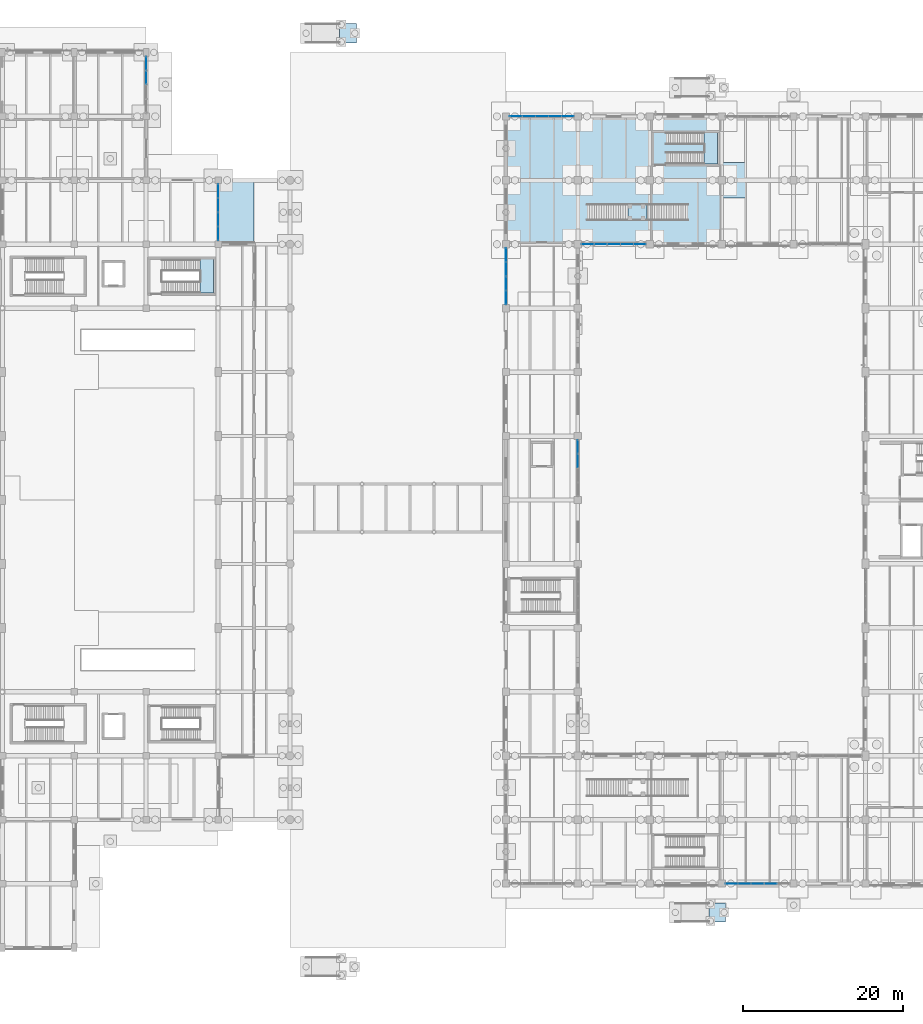
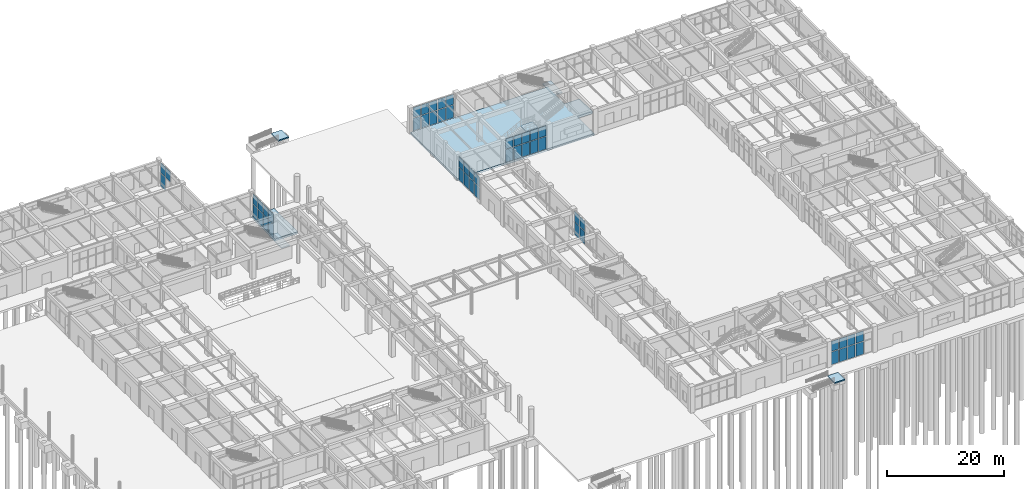
# One storey, part 85 of 121: 51 plates, 7 slabs, 12 elements without a shape of their own.
"""IFC4 building model written with IfcOpenShell, lengths in metres."""

from ifc_helpers import new_model, si_unit, derived_unit, direction, frame, origin, origin_2d, place, context, subcontext, project, spatial, polyline, rectangle, outline, extrude, material, layer, layer_set, type_object, element, aggregate, save


model = new_model("IFC4")

# Units and contexts
model_context = context("Model", 3, precision=1e-05, world=origin(), true_north=direction((0.0, 1.0)))
body_context = subcontext(model_context, "Body", "Model", "MODEL_VIEW")
ifc_project = project(units=[si_unit("LENGTHUNIT", "METRE"), si_unit("AREAUNIT", "SQUARE_METRE"), si_unit("VOLUMEUNIT", "CUBIC_METRE"), si_unit("PLANEANGLEUNIT", "RADIAN"), si_unit("MASSUNIT", "GRAM", prefix="KILO"), derived_unit("THERMALTRANSMITTANCEUNIT", [(si_unit("MASSUNIT", "GRAM", prefix="KILO"), 1), (si_unit("TIMEUNIT", "SECOND"), -3), (si_unit("THERMODYNAMICTEMPERATUREUNIT", "KELVIN"), -1)])], contexts=[model_context])

# Site, building, storey
site_placement = place(None, origin())
site = spatial("IfcSite", under=ifc_project, at=site_placement, CompositionType="ELEMENT")
building_placement = place(site_placement, origin())
building = spatial("IfcBuilding", under=site, at=building_placement, Name="Zhenchuan Archway Interchange", CompositionType="ELEMENT")
storey_placement = place(building_placement, origin())
storey = spatial("IfcBuildingStorey", under=building, at=storey_placement, Name="L00", CompositionType="ELEMENT", Elevation=0.0)

# Curtain wall, plate
ifc_material_1 = material(Name="Anodised Aluminium", Category="aluminium")
curtain_wall_type_1 = type_object("IfcCurtainWallType", Name="CW_UNIT_3", PredefinedType="NOTDEFINED", material=ifc_material_1)
curtain_wall_1_placement = place(storey_placement, origin())
curtain_wall_1 = element("IfcCurtainWall", 1, at=curtain_wall_1_placement, inside=storey, type_object=curtain_wall_type_1, Name="Unitised curtain wall CW:L00:006", PredefinedType="NOTDEFINED")
ifc_material_2 = material(Name="Double Low-E Insulated Glazing", Category="glass")
ifc_layer_1 = layer(ifc_material_2, 0.031982421875)
ifc_layer_set_1 = layer_set([ifc_layer_1], Name="Double Low-E Insulated Glazing")
plate_type_1 = type_object("IfcPlateType", Name="CW_GLZ_5", PredefinedType="CURTAIN_PANEL", material=ifc_layer_set_1)
plate_1_placement = place(storey_placement, frame((54.0, 110.629638671875, 0.080078125), z_axis=(0.0, 0.0, 1.0), x_axis=(0.0, -1.0, 0.0)))
plate_1 = element("IfcPlate", 2, at=plate_1_placement, type_object=plate_type_1, Name="CW:L00:006 lower glazing panel 0", PredefinedType="CURTAIN_PANEL", context=body_context, shape_type="SweptSolid", body=[
    extrude(rectangle(XDim=1.624755859375, YDim=0.028076171875, at=origin_2d()), origin(), (0.0, 0.0, 1.0), 2.64306640625),
])

# Curtain wall, plates
curtain_wall_type_2 = type_object("IfcCurtainWallType", Name="CW_UNIT_4", PredefinedType="NOTDEFINED", material=ifc_material_1)
curtain_wall_2_placement = place(storey_placement, origin())
curtain_wall_2 = element("IfcCurtainWall", 3, at=curtain_wall_2_placement, inside=storey, type_object=curtain_wall_type_2, Name="Unitised curtain wall CW:L00:007", PredefinedType="NOTDEFINED")
plate_2_placement = place(storey_placement, frame((63.0, 94.6953125, 0.080078125), z_axis=(0.0, 0.0, 1.0), x_axis=(0.0, -1.0, 0.0)))
plate_2 = element("IfcPlate", 4, at=plate_2_placement, type_object=plate_type_1, Name="CW:L00:007 lower glazing panel 0", PredefinedType="CURTAIN_PANEL", context=body_context, shape_type="SweptSolid", body=[
    extrude(rectangle(XDim=1.6435546875, YDim=0.028076171875, at=origin_2d()), origin(), (0.0, 0.0, 1.0), 2.64306640625),
])
plate_3_placement = place(storey_placement, frame((63.0, 92.901611328125, 0.080078125), z_axis=(0.0, 0.0, 1.0), x_axis=(0.0, -1.0, 0.0)))
plate_3 = element("IfcPlate", 5, at=plate_3_placement, type_object=plate_type_1, Name="CW:L00:007 lower glazing panel 1", PredefinedType="CURTAIN_PANEL", context=body_context, shape_type="SweptSolid", body=[
    extrude(rectangle(XDim=1.66357421875, YDim=0.028076171875, at=origin_2d()), origin(), (0.0, 0.0, 1.0), 2.64306640625),
])
plate_4_placement = place(storey_placement, frame((63.0, 91.098388671875, 0.080078125), z_axis=(0.0, 0.0, 1.0), x_axis=(0.0, -1.0, 0.0)))
plate_4 = element("IfcPlate", 6, at=plate_4_placement, type_object=plate_type_1, Name="CW:L00:007 lower glazing panel 2", PredefinedType="CURTAIN_PANEL", context=body_context, shape_type="SweptSolid", body=[
    extrude(rectangle(XDim=1.66357421875, YDim=0.028076171875, at=origin_2d()), origin(), (0.0, 0.0, 1.0), 2.64306640625),
])
plate_5_placement = place(storey_placement, frame((63.0, 89.3046875, 0.080078125), z_axis=(0.0, 0.0, 1.0), x_axis=(0.0, -1.0, 0.0)))
plate_5 = element("IfcPlate", 7, at=plate_5_placement, type_object=plate_type_1, Name="CW:L00:007 lower glazing panel 3", PredefinedType="CURTAIN_PANEL", context=body_context, shape_type="SweptSolid", body=[
    extrude(rectangle(XDim=1.6435546875, YDim=0.028076171875, at=origin_2d()), origin(), (0.0, 0.0, 1.0), 2.64306640625),
])

curtain_wall_3_placement = place(storey_placement, origin())
curtain_wall_3 = element("IfcCurtainWall", 8, at=curtain_wall_3_placement, inside=storey, type_object=curtain_wall_type_2, Name="Unitised curtain wall CW:L00:011", PredefinedType="NOTDEFINED")
plate_6_placement = place(storey_placement, frame((100.244384765625, 104.0, 0.080078125), z_axis=(0.0, 0.0, 1.0), x_axis=(1.0, 0.0, 0.0)))
plate_6 = element("IfcPlate", 9, at=plate_6_placement, type_object=plate_type_1, Name="CW:L00:011 lower glazing panel 0", PredefinedType="CURTAIN_PANEL", context=body_context, shape_type="SweptSolid", body=[
    extrude(rectangle(XDim=1.472900390625, YDim=0.028076171875, at=origin_2d()), origin(), (0.0, 0.0, 1.0), 2.64306640625),
])
plate_7_placement = place(storey_placement, frame((101.8671875, 104.0, 0.080078125), z_axis=(0.0, 0.0, 1.0), x_axis=(1.0, 0.0, 0.0)))
plate_7 = element("IfcPlate", 10, at=plate_7_placement, type_object=plate_type_1, Name="CW:L00:011 lower glazing panel 1", PredefinedType="CURTAIN_PANEL", context=body_context, shape_type="SweptSolid", body=[
    extrude(rectangle(XDim=1.492919921875, YDim=0.028076171875, at=origin_2d()), origin(), (0.0, 0.0, 1.0), 2.64306640625),
])
plate_8_placement = place(storey_placement, frame((103.5, 104.0, 0.080078125), z_axis=(0.0, 0.0, 1.0), x_axis=(1.0, 0.0, 0.0)))
plate_8 = element("IfcPlate", 11, at=plate_8_placement, type_object=plate_type_1, Name="CW:L00:011 lower glazing panel 2", PredefinedType="CURTAIN_PANEL", context=body_context, shape_type="SweptSolid", body=[
    extrude(rectangle(XDim=1.492919921875, YDim=0.028076171875, at=origin_2d()), origin(), (0.0, 0.0, 1.0), 2.64306640625),
])
plate_9_placement = place(storey_placement, frame((105.1328125, 104.0, 0.080078125), z_axis=(0.0, 0.0, 1.0), x_axis=(1.0, 0.0, 0.0)))
plate_9 = element("IfcPlate", 12, at=plate_9_placement, type_object=plate_type_1, Name="CW:L00:011 lower glazing panel 3", PredefinedType="CURTAIN_PANEL", context=body_context, shape_type="SweptSolid", body=[
    extrude(rectangle(XDim=1.492919921875, YDim=0.028076171875, at=origin_2d()), origin(), (0.0, 0.0, 1.0), 2.64306640625),
])
plate_10_placement = place(storey_placement, frame((106.755615234375, 104.0, 0.080078125), z_axis=(0.0, 0.0, 1.0), x_axis=(1.0, 0.0, 0.0)))
plate_10 = element("IfcPlate", 13, at=plate_10_placement, type_object=plate_type_1, Name="CW:L00:011 lower glazing panel 4", PredefinedType="CURTAIN_PANEL", context=body_context, shape_type="SweptSolid", body=[
    extrude(rectangle(XDim=1.472900390625, YDim=0.028076171875, at=origin_2d()), origin(), (0.0, 0.0, 1.0), 2.64306640625),
])

curtain_wall_type_3 = type_object("IfcCurtainWallType", Name="CW_UNIT_2", PredefinedType="NOTDEFINED", material=ifc_material_1)
curtain_wall_4_placement = place(storey_placement, origin())
curtain_wall_4 = element("IfcCurtainWall", 14, at=curtain_wall_4_placement, inside=storey, type_object=curtain_wall_type_3, Name="Unitised curtain wall CW:L00:017", PredefinedType="NOTDEFINED")
plate_11_placement = place(storey_placement, frame((132.1328125, 8.0, 0.080078125), z_axis=(0.0, 0.0, 1.0), x_axis=(-1.0, 0.0, 0.0)))
plate_11 = element("IfcPlate", 15, at=plate_11_placement, type_object=plate_type_1, Name="CW:L00:017 lower glazing panel 1", PredefinedType="CURTAIN_PANEL", context=body_context, shape_type="SweptSolid", body=[
    extrude(rectangle(XDim=1.492919921875, YDim=0.028076171875, at=origin_2d()), origin(), (0.0, 0.0, 1.0), 2.64306640625),
])
plate_12_placement = place(storey_placement, frame((130.5, 8.0, 0.080078125), z_axis=(0.0, 0.0, 1.0), x_axis=(-1.0, 0.0, 0.0)))
plate_12 = element("IfcPlate", 16, at=plate_12_placement, type_object=plate_type_1, Name="CW:L00:017 lower glazing panel 2", PredefinedType="CURTAIN_PANEL", context=body_context, shape_type="SweptSolid", body=[
    extrude(rectangle(XDim=1.492919921875, YDim=0.028076171875, at=origin_2d()), origin(), (0.0, 0.0, 1.0), 2.64306640625),
])
plate_13_placement = place(storey_placement, frame((128.8671875, 8.0, 0.080078125), z_axis=(0.0, 0.0, 1.0), x_axis=(-1.0, 0.0, 0.0)))
plate_13 = element("IfcPlate", 17, at=plate_13_placement, type_object=plate_type_1, Name="CW:L00:017 lower glazing panel 3", PredefinedType="CURTAIN_PANEL", context=body_context, shape_type="SweptSolid", body=[
    extrude(rectangle(XDim=1.492919921875, YDim=0.028076171875, at=origin_2d()), origin(), (0.0, 0.0, 1.0), 2.64306640625),
])
plate_14_placement = place(storey_placement, frame((127.244384765625, 8.0, 0.080078125), z_axis=(0.0, 0.0, 1.0), x_axis=(-1.0, 0.0, 0.0)))
plate_14 = element("IfcPlate", 18, at=plate_14_placement, type_object=plate_type_1, Name="CW:L00:017 lower glazing panel 4", PredefinedType="CURTAIN_PANEL", context=body_context, shape_type="SweptSolid", body=[
    extrude(rectangle(XDim=1.472900390625, YDim=0.028076171875, at=origin_2d()), origin(), (0.0, 0.0, 1.0), 2.64306640625),
])

curtain_wall_5_placement = place(storey_placement, origin())
curtain_wall_5 = element("IfcCurtainWall", 19, at=curtain_wall_5_placement, inside=storey, type_object=curtain_wall_type_2, Name="Unitised curtain wall CW:L00:019", PredefinedType="NOTDEFINED")
plate_15_placement = place(storey_placement, frame((99.0, 81.323486328125, 0.080078125), z_axis=(0.0, 0.0, 1.0), x_axis=(0.0, 1.0, 0.0)))
plate_15 = element("IfcPlate", 20, at=plate_15_placement, type_object=plate_type_1, Name="CW:L00:019 lower glazing panel 0", PredefinedType="CURTAIN_PANEL", context=body_context, shape_type="SweptSolid", body=[
    extrude(rectangle(XDim=1.631103515625, YDim=0.028076171875, at=origin_2d()), origin(), (0.0, 0.0, 1.0), 2.64306640625),
])
plate_16_placement = place(storey_placement, frame((99.0, 83.1044921875, 0.080078125), z_axis=(0.0, 0.0, 1.0), x_axis=(0.0, 1.0, 0.0)))
plate_16 = element("IfcPlate", 21, at=plate_16_placement, type_object=plate_type_1, Name="CW:L00:019 lower glazing panel 1", PredefinedType="CURTAIN_PANEL", context=body_context, shape_type="SweptSolid", body=[
    extrude(rectangle(XDim=1.65087890625, YDim=0.028076171875, at=origin_2d()), origin(), (0.0, 0.0, 1.0), 2.64306640625),
])
plate_17_placement = place(storey_placement, frame((99.0, 84.8955078125, 0.080078125), z_axis=(0.0, 0.0, 1.0), x_axis=(0.0, 1.0, 0.0)))
plate_17 = element("IfcPlate", 22, at=plate_17_placement, type_object=plate_type_1, Name="CW:L00:019 lower glazing panel 2", PredefinedType="CURTAIN_PANEL", context=body_context, shape_type="SweptSolid", body=[
    extrude(rectangle(XDim=1.65087890625, YDim=0.028076171875, at=origin_2d()), origin(), (0.0, 0.0, 1.0), 2.64306640625),
])
plate_18_placement = place(storey_placement, frame((99.0, 86.676513671875, 0.080078125), z_axis=(0.0, 0.0, 1.0), x_axis=(0.0, 1.0, 0.0)))
plate_18 = element("IfcPlate", 23, at=plate_18_placement, type_object=plate_type_1, Name="CW:L00:019 lower glazing panel 3", PredefinedType="CURTAIN_PANEL", context=body_context, shape_type="SweptSolid", body=[
    extrude(rectangle(XDim=1.631103515625, YDim=0.028076171875, at=origin_2d()), origin(), (0.0, 0.0, 1.0), 2.64306640625),
])

curtain_wall_type_4 = type_object("IfcCurtainWallType", Name="CW_UNIT_1", PredefinedType="NOTDEFINED", material=ifc_material_1)
curtain_wall_6_placement = place(storey_placement, origin())
curtain_wall_6 = element("IfcCurtainWall", 24, at=curtain_wall_6_placement, inside=storey, type_object=curtain_wall_type_4, Name="Unitised curtain wall CW:L00:024", PredefinedType="NOTDEFINED")
plate_19_placement = place(storey_placement, frame((115.755615234375, 88.0, 0.080078125), z_axis=(0.0, 0.0, 1.0), x_axis=(-1.0, 0.0, 0.0)))
plate_19 = element("IfcPlate", 25, at=plate_19_placement, type_object=plate_type_1, Name="CW:L00:024 lower glazing panel 0", PredefinedType="CURTAIN_PANEL", context=body_context, shape_type="SweptSolid", body=[
    extrude(rectangle(XDim=1.472900390625, YDim=0.028076171875, at=origin_2d()), origin(), (0.0, 0.0, 1.0), 2.64306640625),
])
plate_20_placement = place(storey_placement, frame((114.1328125, 88.0, 0.080078125), z_axis=(0.0, 0.0, 1.0), x_axis=(-1.0, 0.0, 0.0)))
plate_20 = element("IfcPlate", 26, at=plate_20_placement, type_object=plate_type_1, Name="CW:L00:024 lower glazing panel 1", PredefinedType="CURTAIN_PANEL", context=body_context, shape_type="SweptSolid", body=[
    extrude(rectangle(XDim=1.492919921875, YDim=0.028076171875, at=origin_2d()), origin(), (0.0, 0.0, 1.0), 2.64306640625),
])
plate_21_placement = place(storey_placement, frame((112.5, 88.0, 0.080078125), z_axis=(0.0, 0.0, 1.0), x_axis=(-1.0, 0.0, 0.0)))
plate_21 = element("IfcPlate", 27, at=plate_21_placement, type_object=plate_type_1, Name="CW:L00:024 lower glazing panel 2", PredefinedType="CURTAIN_PANEL", context=body_context, shape_type="SweptSolid", body=[
    extrude(rectangle(XDim=1.492919921875, YDim=0.028076171875, at=origin_2d()), origin(), (0.0, 0.0, 1.0), 2.64306640625),
])
plate_22_placement = place(storey_placement, frame((110.8671875, 88.0, 0.080078125), z_axis=(0.0, 0.0, 1.0), x_axis=(-1.0, 0.0, 0.0)))
plate_22 = element("IfcPlate", 28, at=plate_22_placement, type_object=plate_type_1, Name="CW:L00:024 lower glazing panel 3", PredefinedType="CURTAIN_PANEL", context=body_context, shape_type="SweptSolid", body=[
    extrude(rectangle(XDim=1.492919921875, YDim=0.028076171875, at=origin_2d()), origin(), (0.0, 0.0, 1.0), 2.64306640625),
])
plate_23_placement = place(storey_placement, frame((109.244384765625, 88.0, 0.080078125), z_axis=(0.0, 0.0, 1.0), x_axis=(-1.0, 0.0, 0.0)))
plate_23 = element("IfcPlate", 29, at=plate_23_placement, type_object=plate_type_1, Name="CW:L00:024 lower glazing panel 4", PredefinedType="CURTAIN_PANEL", context=body_context, shape_type="SweptSolid", body=[
    extrude(rectangle(XDim=1.472900390625, YDim=0.028076171875, at=origin_2d()), origin(), (0.0, 0.0, 1.0), 2.64306640625),
])

curtain_wall_7_placement = place(storey_placement, origin())
curtain_wall_7 = element("IfcCurtainWall", 30, at=curtain_wall_7_placement, inside=storey, type_object=curtain_wall_type_3, Name="Unitised curtain wall CW:L00:025", PredefinedType="NOTDEFINED")
plate_24_placement = place(storey_placement, frame((108.0, 62.676513671875, 0.080078125), z_axis=(0.0, 0.0, 1.0), x_axis=(0.0, -1.0, 0.0)))
plate_24 = element("IfcPlate", 31, at=plate_24_placement, type_object=plate_type_1, Name="CW:L00:025 lower glazing panel 0", PredefinedType="CURTAIN_PANEL", context=body_context, shape_type="SweptSolid", body=[
    extrude(rectangle(XDim=1.631103515625, YDim=0.028076171875, at=origin_2d()), origin(), (0.0, 0.0, 1.0), 2.64306640625),
])
plate_25_placement = place(storey_placement, frame((108.0, 60.8955078125, 0.080078125), z_axis=(0.0, 0.0, 1.0), x_axis=(0.0, -1.0, 0.0)))
plate_25 = element("IfcPlate", 32, at=plate_25_placement, type_object=plate_type_1, Name="CW:L00:025 lower glazing panel 1", PredefinedType="CURTAIN_PANEL", context=body_context, shape_type="SweptSolid", body=[
    extrude(rectangle(XDim=1.65087890625, YDim=0.028076171875, at=origin_2d()), origin(), (0.0, 0.0, 1.0), 2.64306640625),
])

# Plate
ifc_layer_2 = layer(ifc_material_2, 0.02197265625)
ifc_layer_set_2 = layer_set([ifc_layer_2], Name="Double Low-E Insulated Glazing")
plate_type_2 = type_object("IfcPlateType", Name="CW_GLZ_6", PredefinedType="CURTAIN_PANEL", material=ifc_layer_set_2)
plate_26_placement = place(storey_placement, frame((54.0, 110.629638671875, 2.84326171875), z_axis=(0.0, 0.0, 1.0), x_axis=(0.0, -1.0, 0.0)))
plate_26 = element("IfcPlate", 33, at=plate_26_placement, type_object=plate_type_2, Name="CW:L00:006 upper glazing panel 0", PredefinedType="CURTAIN_PANEL", context=body_context, shape_type="SweptSolid", body=[
    extrude(rectangle(XDim=1.624755859375, YDim=0.02587890625, at=origin_2d()), origin(), (0.0, 0.0, 1.0), 2.136962890625),
])

plate_27_placement = place(storey_placement, frame((54.0, 108.85498046875, 2.84326171875), z_axis=(0.0, 0.0, 1.0), x_axis=(0.0, -1.0, 0.0)))
plate_27 = element("IfcPlate", 34, at=plate_27_placement, type_object=plate_type_2, Name="CW:L00:006 upper glazing panel 1", PredefinedType="CURTAIN_PANEL", context=body_context, shape_type="SweptSolid", body=[
    extrude(rectangle(XDim=1.644775390625, YDim=0.02587890625, at=origin_2d()), origin(), (0.0, 0.0, 1.0), 2.136962890625),
])

aggregate(curtain_wall_1, [plate_1, plate_26, plate_27])

plate_28_placement = place(storey_placement, frame((63.0, 94.6953125, 2.84326171875), z_axis=(0.0, 0.0, 1.0), x_axis=(0.0, -1.0, 0.0)))
plate_28 = element("IfcPlate", 35, at=plate_28_placement, type_object=plate_type_2, Name="CW:L00:007 upper glazing panel 0", PredefinedType="CURTAIN_PANEL", context=body_context, shape_type="SweptSolid", body=[
    extrude(rectangle(XDim=1.6435546875, YDim=0.02587890625, at=origin_2d()), origin(), (0.0, 0.0, 1.0), 2.136962890625),
])

plate_29_placement = place(storey_placement, frame((63.0, 92.901611328125, 2.84326171875), z_axis=(0.0, 0.0, 1.0), x_axis=(0.0, -1.0, 0.0)))
plate_29 = element("IfcPlate", 36, at=plate_29_placement, type_object=plate_type_2, Name="CW:L00:007 upper glazing panel 1", PredefinedType="CURTAIN_PANEL", context=body_context, shape_type="SweptSolid", body=[
    extrude(rectangle(XDim=1.66357421875, YDim=0.02587890625, at=origin_2d()), origin(), (0.0, 0.0, 1.0), 2.136962890625),
])

plate_30_placement = place(storey_placement, frame((63.0, 91.098388671875, 2.84326171875), z_axis=(0.0, 0.0, 1.0), x_axis=(0.0, -1.0, 0.0)))
plate_30 = element("IfcPlate", 37, at=plate_30_placement, type_object=plate_type_2, Name="CW:L00:007 upper glazing panel 2", PredefinedType="CURTAIN_PANEL", context=body_context, shape_type="SweptSolid", body=[
    extrude(rectangle(XDim=1.66357421875, YDim=0.02587890625, at=origin_2d()), origin(), (0.0, 0.0, 1.0), 2.136962890625),
])

plate_31_placement = place(storey_placement, frame((63.0, 89.3046875, 2.84326171875), z_axis=(0.0, 0.0, 1.0), x_axis=(0.0, -1.0, 0.0)))
plate_31 = element("IfcPlate", 38, at=plate_31_placement, type_object=plate_type_2, Name="CW:L00:007 upper glazing panel 3", PredefinedType="CURTAIN_PANEL", context=body_context, shape_type="SweptSolid", body=[
    extrude(rectangle(XDim=1.6435546875, YDim=0.02587890625, at=origin_2d()), origin(), (0.0, 0.0, 1.0), 2.136962890625),
])

aggregate(curtain_wall_2, [plate_2, plate_28, plate_3, plate_29, plate_4, plate_30, plate_5, plate_31])

plate_32_placement = place(storey_placement, frame((100.244384765625, 104.0, 2.84326171875), z_axis=(0.0, 0.0, 1.0), x_axis=(1.0, 0.0, 0.0)))
plate_32 = element("IfcPlate", 39, at=plate_32_placement, type_object=plate_type_2, Name="CW:L00:011 upper glazing panel 0", PredefinedType="CURTAIN_PANEL", context=body_context, shape_type="SweptSolid", body=[
    extrude(rectangle(XDim=1.472900390625, YDim=0.02587890625, at=origin_2d()), origin(), (0.0, 0.0, 1.0), 2.136962890625),
])

plate_33_placement = place(storey_placement, frame((101.8671875, 104.0, 2.84326171875), z_axis=(0.0, 0.0, 1.0), x_axis=(1.0, 0.0, 0.0)))
plate_33 = element("IfcPlate", 40, at=plate_33_placement, type_object=plate_type_2, Name="CW:L00:011 upper glazing panel 1", PredefinedType="CURTAIN_PANEL", context=body_context, shape_type="SweptSolid", body=[
    extrude(rectangle(XDim=1.492919921875, YDim=0.02587890625, at=origin_2d()), origin(), (0.0, 0.0, 1.0), 2.136962890625),
])

plate_34_placement = place(storey_placement, frame((103.5, 104.0, 2.84326171875), z_axis=(0.0, 0.0, 1.0), x_axis=(1.0, 0.0, 0.0)))
plate_34 = element("IfcPlate", 41, at=plate_34_placement, type_object=plate_type_2, Name="CW:L00:011 upper glazing panel 2", PredefinedType="CURTAIN_PANEL", context=body_context, shape_type="SweptSolid", body=[
    extrude(rectangle(XDim=1.492919921875, YDim=0.02587890625, at=origin_2d()), origin(), (0.0, 0.0, 1.0), 2.136962890625),
])

plate_35_placement = place(storey_placement, frame((105.1328125, 104.0, 2.84326171875), z_axis=(0.0, 0.0, 1.0), x_axis=(1.0, 0.0, 0.0)))
plate_35 = element("IfcPlate", 42, at=plate_35_placement, type_object=plate_type_2, Name="CW:L00:011 upper glazing panel 3", PredefinedType="CURTAIN_PANEL", context=body_context, shape_type="SweptSolid", body=[
    extrude(rectangle(XDim=1.492919921875, YDim=0.02587890625, at=origin_2d()), origin(), (0.0, 0.0, 1.0), 2.136962890625),
])

plate_36_placement = place(storey_placement, frame((106.755615234375, 104.0, 2.84326171875), z_axis=(0.0, 0.0, 1.0), x_axis=(1.0, 0.0, 0.0)))
plate_36 = element("IfcPlate", 43, at=plate_36_placement, type_object=plate_type_2, Name="CW:L00:011 upper glazing panel 4", PredefinedType="CURTAIN_PANEL", context=body_context, shape_type="SweptSolid", body=[
    extrude(rectangle(XDim=1.472900390625, YDim=0.02587890625, at=origin_2d()), origin(), (0.0, 0.0, 1.0), 2.136962890625),
])

aggregate(curtain_wall_3, [plate_6, plate_32, plate_7, plate_33, plate_8, plate_34, plate_9, plate_35, plate_10, plate_36])

plate_37_placement = place(storey_placement, frame((132.1328125, 8.0, 2.84326171875), z_axis=(0.0, 0.0, 1.0), x_axis=(-1.0, 0.0, 0.0)))
plate_37 = element("IfcPlate", 44, at=plate_37_placement, type_object=plate_type_2, Name="CW:L00:017 upper glazing panel 1", PredefinedType="CURTAIN_PANEL", context=body_context, shape_type="SweptSolid", body=[
    extrude(rectangle(XDim=1.492919921875, YDim=0.02587890625, at=origin_2d()), origin(), (0.0, 0.0, 1.0), 2.136962890625),
])

plate_38_placement = place(storey_placement, frame((130.5, 8.0, 2.84326171875), z_axis=(0.0, 0.0, 1.0), x_axis=(-1.0, 0.0, 0.0)))
plate_38 = element("IfcPlate", 45, at=plate_38_placement, type_object=plate_type_2, Name="CW:L00:017 upper glazing panel 2", PredefinedType="CURTAIN_PANEL", context=body_context, shape_type="SweptSolid", body=[
    extrude(rectangle(XDim=1.492919921875, YDim=0.02587890625, at=origin_2d()), origin(), (0.0, 0.0, 1.0), 2.136962890625),
])

plate_39_placement = place(storey_placement, frame((128.8671875, 8.0, 2.84326171875), z_axis=(0.0, 0.0, 1.0), x_axis=(-1.0, 0.0, 0.0)))
plate_39 = element("IfcPlate", 46, at=plate_39_placement, type_object=plate_type_2, Name="CW:L00:017 upper glazing panel 3", PredefinedType="CURTAIN_PANEL", context=body_context, shape_type="SweptSolid", body=[
    extrude(rectangle(XDim=1.492919921875, YDim=0.02587890625, at=origin_2d()), origin(), (0.0, 0.0, 1.0), 2.136962890625),
])

plate_40_placement = place(storey_placement, frame((127.244384765625, 8.0, 2.84326171875), z_axis=(0.0, 0.0, 1.0), x_axis=(-1.0, 0.0, 0.0)))
plate_40 = element("IfcPlate", 47, at=plate_40_placement, type_object=plate_type_2, Name="CW:L00:017 upper glazing panel 4", PredefinedType="CURTAIN_PANEL", context=body_context, shape_type="SweptSolid", body=[
    extrude(rectangle(XDim=1.472900390625, YDim=0.02587890625, at=origin_2d()), origin(), (0.0, 0.0, 1.0), 2.136962890625),
])

aggregate(curtain_wall_4, [plate_11, plate_37, plate_12, plate_38, plate_13, plate_39, plate_14, plate_40])

plate_41_placement = place(storey_placement, frame((99.0, 81.323486328125, 2.84326171875), z_axis=(0.0, 0.0, 1.0), x_axis=(0.0, 1.0, 0.0)))
plate_41 = element("IfcPlate", 48, at=plate_41_placement, type_object=plate_type_2, Name="CW:L00:019 upper glazing panel 0", PredefinedType="CURTAIN_PANEL", context=body_context, shape_type="SweptSolid", body=[
    extrude(rectangle(XDim=1.631103515625, YDim=0.02587890625, at=origin_2d()), origin(), (0.0, 0.0, 1.0), 2.136962890625),
])

plate_42_placement = place(storey_placement, frame((99.0, 83.1044921875, 2.84326171875), z_axis=(0.0, 0.0, 1.0), x_axis=(0.0, 1.0, 0.0)))
plate_42 = element("IfcPlate", 49, at=plate_42_placement, type_object=plate_type_2, Name="CW:L00:019 upper glazing panel 1", PredefinedType="CURTAIN_PANEL", context=body_context, shape_type="SweptSolid", body=[
    extrude(rectangle(XDim=1.65087890625, YDim=0.02587890625, at=origin_2d()), origin(), (0.0, 0.0, 1.0), 2.136962890625),
])

plate_43_placement = place(storey_placement, frame((99.0, 84.8955078125, 2.84326171875), z_axis=(0.0, 0.0, 1.0), x_axis=(0.0, 1.0, 0.0)))
plate_43 = element("IfcPlate", 50, at=plate_43_placement, type_object=plate_type_2, Name="CW:L00:019 upper glazing panel 2", PredefinedType="CURTAIN_PANEL", context=body_context, shape_type="SweptSolid", body=[
    extrude(rectangle(XDim=1.65087890625, YDim=0.02587890625, at=origin_2d()), origin(), (0.0, 0.0, 1.0), 2.136962890625),
])

plate_44_placement = place(storey_placement, frame((99.0, 86.676513671875, 2.84326171875), z_axis=(0.0, 0.0, 1.0), x_axis=(0.0, 1.0, 0.0)))
plate_44 = element("IfcPlate", 51, at=plate_44_placement, type_object=plate_type_2, Name="CW:L00:019 upper glazing panel 3", PredefinedType="CURTAIN_PANEL", context=body_context, shape_type="SweptSolid", body=[
    extrude(rectangle(XDim=1.631103515625, YDim=0.02587890625, at=origin_2d()), origin(), (0.0, 0.0, 1.0), 2.136962890625),
])

aggregate(curtain_wall_5, [plate_15, plate_41, plate_16, plate_42, plate_17, plate_43, plate_18, plate_44])

plate_45_placement = place(storey_placement, frame((115.755615234375, 88.0, 2.84326171875), z_axis=(0.0, 0.0, 1.0), x_axis=(-1.0, 0.0, 0.0)))
plate_45 = element("IfcPlate", 52, at=plate_45_placement, type_object=plate_type_2, Name="CW:L00:024 upper glazing panel 0", PredefinedType="CURTAIN_PANEL", context=body_context, shape_type="SweptSolid", body=[
    extrude(rectangle(XDim=1.472900390625, YDim=0.02587890625, at=origin_2d()), origin(), (0.0, 0.0, 1.0), 2.136962890625),
])

plate_46_placement = place(storey_placement, frame((114.1328125, 88.0, 2.84326171875), z_axis=(0.0, 0.0, 1.0), x_axis=(-1.0, 0.0, 0.0)))
plate_46 = element("IfcPlate", 53, at=plate_46_placement, type_object=plate_type_2, Name="CW:L00:024 upper glazing panel 1", PredefinedType="CURTAIN_PANEL", context=body_context, shape_type="SweptSolid", body=[
    extrude(rectangle(XDim=1.492919921875, YDim=0.02587890625, at=origin_2d()), origin(), (0.0, 0.0, 1.0), 2.136962890625),
])

plate_47_placement = place(storey_placement, frame((112.5, 88.0, 2.84326171875), z_axis=(0.0, 0.0, 1.0), x_axis=(-1.0, 0.0, 0.0)))
plate_47 = element("IfcPlate", 54, at=plate_47_placement, type_object=plate_type_2, Name="CW:L00:024 upper glazing panel 2", PredefinedType="CURTAIN_PANEL", context=body_context, shape_type="SweptSolid", body=[
    extrude(rectangle(XDim=1.492919921875, YDim=0.02587890625, at=origin_2d()), origin(), (0.0, 0.0, 1.0), 2.136962890625),
])

plate_48_placement = place(storey_placement, frame((110.8671875, 88.0, 2.84326171875), z_axis=(0.0, 0.0, 1.0), x_axis=(-1.0, 0.0, 0.0)))
plate_48 = element("IfcPlate", 55, at=plate_48_placement, type_object=plate_type_2, Name="CW:L00:024 upper glazing panel 3", PredefinedType="CURTAIN_PANEL", context=body_context, shape_type="SweptSolid", body=[
    extrude(rectangle(XDim=1.492919921875, YDim=0.02587890625, at=origin_2d()), origin(), (0.0, 0.0, 1.0), 2.136962890625),
])

plate_49_placement = place(storey_placement, frame((109.244384765625, 88.0, 2.84326171875), z_axis=(0.0, 0.0, 1.0), x_axis=(-1.0, 0.0, 0.0)))
plate_49 = element("IfcPlate", 56, at=plate_49_placement, type_object=plate_type_2, Name="CW:L00:024 upper glazing panel 4", PredefinedType="CURTAIN_PANEL", context=body_context, shape_type="SweptSolid", body=[
    extrude(rectangle(XDim=1.472900390625, YDim=0.02587890625, at=origin_2d()), origin(), (0.0, 0.0, 1.0), 2.136962890625),
])

aggregate(curtain_wall_6, [plate_19, plate_45, plate_20, plate_46, plate_21, plate_47, plate_22, plate_48, plate_23, plate_49])

plate_50_placement = place(storey_placement, frame((108.0, 62.676513671875, 2.84326171875), z_axis=(0.0, 0.0, 1.0), x_axis=(0.0, -1.0, 0.0)))
plate_50 = element("IfcPlate", 57, at=plate_50_placement, type_object=plate_type_2, Name="CW:L00:025 upper glazing panel 0", PredefinedType="CURTAIN_PANEL", context=body_context, shape_type="SweptSolid", body=[
    extrude(rectangle(XDim=1.631103515625, YDim=0.02587890625, at=origin_2d()), origin(), (0.0, 0.0, 1.0), 2.136962890625),
])

plate_51_placement = place(storey_placement, frame((108.0, 60.8955078125, 2.84326171875), z_axis=(0.0, 0.0, 1.0), x_axis=(0.0, -1.0, 0.0)))
plate_51 = element("IfcPlate", 58, at=plate_51_placement, type_object=plate_type_2, Name="CW:L00:025 upper glazing panel 1", PredefinedType="CURTAIN_PANEL", context=body_context, shape_type="SweptSolid", body=[
    extrude(rectangle(XDim=1.65087890625, YDim=0.02587890625, at=origin_2d()), origin(), (0.0, 0.0, 1.0), 2.136962890625),
])

aggregate(curtain_wall_7, [plate_24, plate_50, plate_25, plate_51])

# Slabs
ifc_material_3 = material(Name="Concrete C40", Category="concrete")
ifc_layer_3 = layer(ifc_material_3, 0.419921875)
ifc_layer_set_3 = layer_set([ifc_layer_3], Name="Concrete C40")
slab_type_1 = type_object("IfcSlabType", Name="SLB_FLR_420", PredefinedType="FLOOR", material=ifc_layer_set_3)
slab_1_placement = place(storey_placement, frame((0.0, 0.0, -0.419921875)))
element("IfcSlab", 59, at=slab_1_placement, inside=storey, type_object=slab_type_1, Name="Structural slab L00 OPS-N1", PredefinedType="FLOOR", context=body_context, shape_type="SweptSolid", body=[
    extrude(outline(polyline([(126.0, 88.0), (99.0, 88.0), (99.0, 104.0), (126.0, 104.0), (126.0, 98.197998046875), (128.998046875, 98.197998046875), (128.998046875, 93.802001953125), (126.0, 93.802001953125), (126.0, 88.0)])), origin(), (0.0, 0.0, 1.0), 0.419921875),
])
slab_2_placement = place(storey_placement, frame((0.0, 0.0, -0.419921875)))
element("IfcSlab", 60, at=slab_2_placement, inside=storey, type_object=slab_type_1, Name="Exterior structural deck slab ARC-PORCH-NE", PredefinedType="FLOOR", context=body_context, shape_type="SweptSolid", body=[
    extrude(outline(polyline([(67.498046875, 96.0), (67.498046875, 88.0029296875), (63.0029296875, 88.0029296875), (63.0029296875, 96.0), (67.498046875, 96.0)])), origin(), (0.0, 0.0, 1.0), 0.419921875),
])

# Stair, slab
ifc_material_4 = material(Name="Concrete C35", Category="concrete")
stair_type_1 = type_object("IfcStairType", Name="STR_HALF_1400", PredefinedType="HALF_TURN_STAIR", material=ifc_material_4)
stair_1_placement = place(storey_placement, origin())
stair_1 = element("IfcStair", 61, at=stair_1_placement, inside=storey, type_object=stair_type_1, Name="Stair ST-M4 (L00)", PredefinedType="HALF_TURN_STAIR")
ifc_layer_4 = layer(ifc_material_4, 0.199951171875)
ifc_layer_set_4 = layer_set([ifc_layer_4], Name="Concrete C35")
slab_type_2 = type_object("IfcSlabType", Name="SLB_LANDING_200", PredefinedType="LANDING", material=ifc_layer_set_4)
slab_3_placement = place(storey_placement, frame((0.0, 0.0, 2.5)))
slab_3 = element("IfcSlab", 62, at=slab_3_placement, type_object=slab_type_2, Name="Stair ST-M4 half-landing (L00)", PredefinedType="LANDING", context=body_context, shape_type="SweptSolid", body=[
    extrude(outline(polyline([(60.7451171875, 81.873046875), (62.43701171875, 81.873046875), (62.43701171875, 86.126953125), (60.7451171875, 86.126953125), (60.7451171875, 81.873046875)])), origin(), (0.0, 0.0, 1.0), 0.199951171875),
])
aggregate(stair_1, [slab_3])

stair_type_2 = type_object("IfcStairType", Name="STR_HALF_1450", PredefinedType="HALF_TURN_STAIR", material=ifc_material_4)
stair_2_placement = place(storey_placement, origin())
stair_2 = element("IfcStair", 63, at=stair_2_placement, inside=storey, type_object=stair_type_2, Name="Stair ST-O6 (L00)", PredefinedType="HALF_TURN_STAIR")
slab_4_placement = place(storey_placement, frame((0.0, 0.0, 2.5)))
slab_4 = element("IfcSlab", 64, at=slab_4_placement, type_object=slab_type_2, Name="Stair ST-O6 half-landing (L00)", PredefinedType="LANDING", context=body_context, shape_type="SweptSolid", body=[
    extrude(outline(polyline([(123.804931640625, 98.02294921875), (125.4970703125, 98.02294921875), (125.4970703125, 101.97705078125), (123.804931640625, 101.97705078125), (123.804931640625, 98.02294921875)])), origin(), (0.0, 0.0, 1.0), 0.199951171875),
])
aggregate(stair_2, [slab_4])

stair_type_3 = type_object("IfcStairType", Name="STR_MON_2000", PredefinedType="STRAIGHT_RUN_STAIR", material=ifc_material_4)
stair_3_placement = place(storey_placement, origin())
stair_3 = element("IfcStair", 65, at=stair_3_placement, inside=storey, type_object=stair_type_3, Name="Monumental public stair ST-P6", PredefinedType="STRAIGHT_RUN_STAIR")
ifc_layer_5 = layer(ifc_material_4, 0.219970703125)
ifc_layer_set_5 = layer_set([ifc_layer_5], Name="Concrete C35")
slab_type_3 = type_object("IfcSlabType", Name="SLB_LANDING_220", PredefinedType="LANDING", material=ifc_layer_set_5)
slab_5_placement = place(storey_placement, frame((0.0, 0.0, 2.47998046875)))
slab_5 = element("IfcSlab", 66, at=slab_5_placement, type_object=slab_type_3, Name="Monumental stair ST-P6 intermediate landing", PredefinedType="LANDING", context=body_context, shape_type="SweptSolid", body=[
    extrude(outline(polyline([(114.280029296875, 91.0), (116.679931640625, 91.0), (116.679931640625, 93.0), (114.280029296875, 93.0), (114.280029296875, 91.0)])), origin(), (0.0, 0.0, 1.0), 0.219970703125),
])
aggregate(stair_3, [slab_5])

# Ramp, slab
ramp_type = type_object("IfcRampType", Name="RMP_ACC_SYS", PredefinedType="USERDEFINED", material=ifc_material_4)
ramp_1_placement = place(storey_placement, origin())
ramp_1 = element("IfcRamp", 67, at=ramp_1_placement, inside=storey, type_object=ramp_type, Name="North Public Passage accessible entrance ramp RMP-A2", ObjectType="ACCESSIBLE_RAMP", PredefinedType="USERDEFINED")
slab_6_placement = place(storey_placement, frame((0.0, 0.0, -0.25)))
slab_6 = element("IfcSlab", 68, at=slab_6_placement, type_object=slab_type_3, Name="RMP-A2 threshold landing", PredefinedType="LANDING", context=body_context, shape_type="SweptSolid", body=[
    extrude(outline(polyline([(78.199951171875, 113.199951171875), (80.300048828125, 113.199951171875), (80.300048828125, 115.60009765625), (78.199951171875, 115.60009765625), (78.199951171875, 113.199951171875)])), origin(), (0.0, 0.0, 1.0), 0.25),
])
aggregate(ramp_1, [slab_6])

ramp_2_placement = place(storey_placement, origin())
ramp_2 = element("IfcRamp", 69, at=ramp_2_placement, inside=storey, type_object=ramp_type, Name="South Transit Operations accessible entrance ramp RMP-A3", ObjectType="ACCESSIBLE_RAMP", PredefinedType="USERDEFINED")
slab_7_placement = place(storey_placement, frame((0.0, 0.0, -0.25)))
slab_7 = element("IfcSlab", 70, at=slab_7_placement, type_object=slab_type_3, Name="RMP-A3 threshold landing", PredefinedType="LANDING", context=body_context, shape_type="SweptSolid", body=[
    extrude(outline(polyline([(124.39990234375, 3.199951171875), (126.5, 3.199951171875), (126.5, 5.60009765625), (124.39990234375, 5.60009765625), (124.39990234375, 3.199951171875)])), origin(), (0.0, 0.0, 1.0), 0.25),
])
aggregate(ramp_2, [slab_7])

save(model, "model.ifc")
